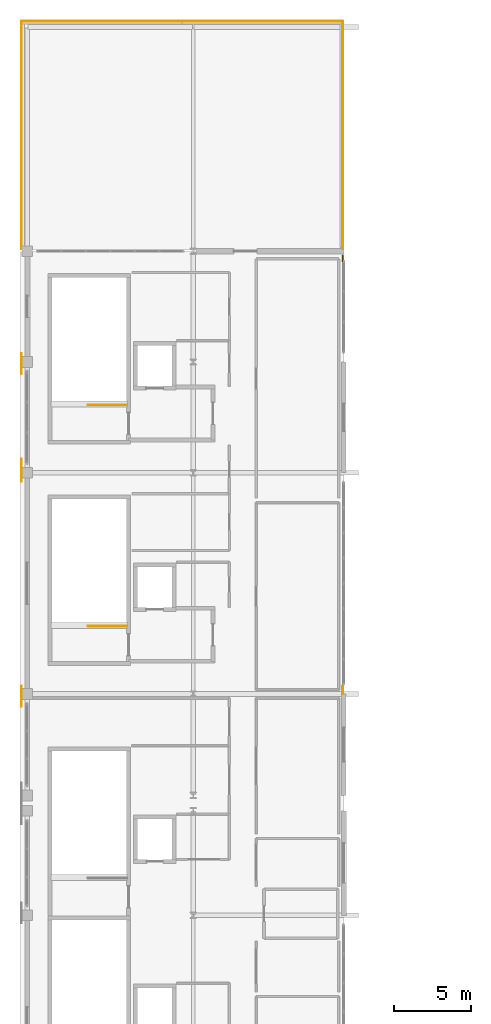
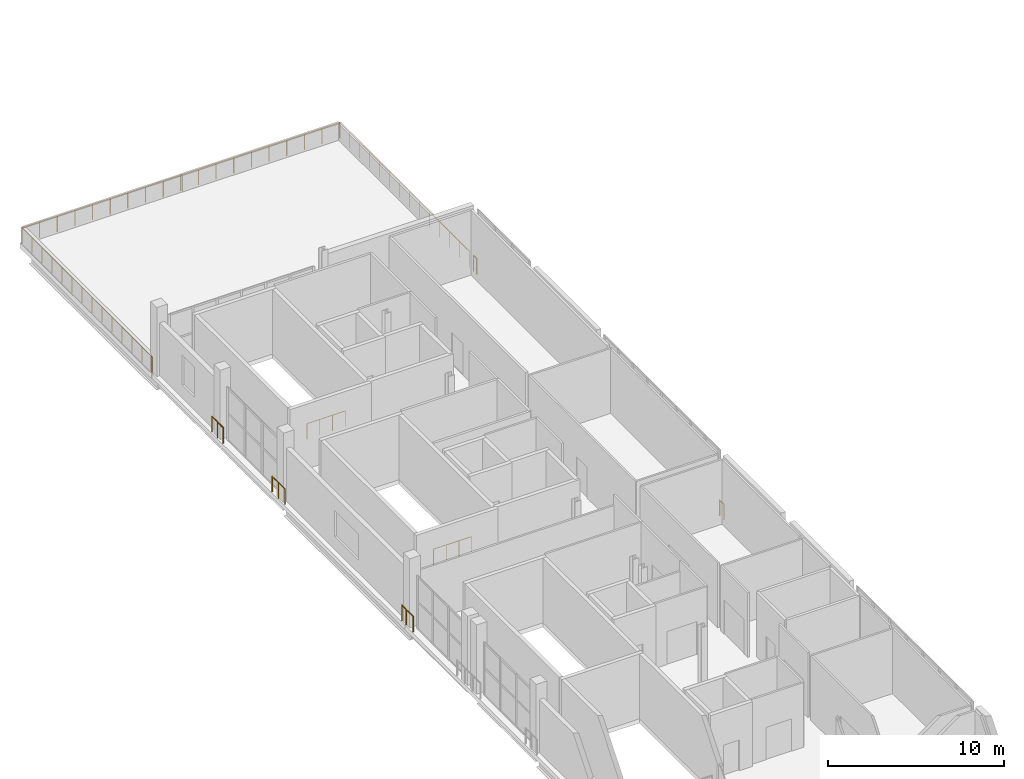
# One storey, part 18 of 19: 11 railings.
"""IFC4 building model written with IfcOpenShell, lengths in metres."""

from ifc_helpers import new_model, si_unit, direction, frame, origin, origin_2d, place, context, subcontext, project, spatial, circle, extrude, material, type_object, element, save


model = new_model("IFC4")

# Units and contexts
model_context = context("Model", 3, precision=1e-05, world=origin(), true_north=direction((0.0, 1.0)))
body_context = subcontext(model_context, "Body", "Model", "MODEL_VIEW")
ifc_project = project(units=[si_unit("LENGTHUNIT", "METRE"), si_unit("AREAUNIT", "SQUARE_METRE"), si_unit("VOLUMEUNIT", "CUBIC_METRE"), si_unit("PLANEANGLEUNIT", "RADIAN"), si_unit("MASSUNIT", "GRAM", prefix="KILO")], contexts=[model_context])

# Site, building, storey
site_placement = place(None, origin())
site = spatial("IfcSite", under=ifc_project, at=site_placement, CompositionType="ELEMENT")
building_placement = place(site_placement, origin())
building = spatial("IfcBuilding", under=site, at=building_placement, Name="Koshinbarg Plaza Stadium", CompositionType="ELEMENT")
storey_placement = place(building_placement, frame((0.0, 0.0, 29.39990234375)))
storey = spatial("IfcBuildingStorey", under=building, at=storey_placement, Name="L06", CompositionType="ELEMENT", Elevation=29.39990234375)

# Railings
ifc_material_1 = material(Name="Toughened laminated glass and stainless steel sightline balustrade", Category="steel")
railing_type_1 = type_object("IfcRailingType", Name="RL-BOWL-1100", PredefinedType="BALUSTRADE", material=ifc_material_1)
railing_1_placement = place(storey_placement, frame((24.22509765625, 82.300048828125, 0.0)))
element("IfcRailing", 1, at=railing_1_placement, inside=storey, type_object=railing_type_1, Name="L06 deck edge safety balustrade 0410", PredefinedType="BALUSTRADE", context=body_context, shape_type="SweptSolid", body=[
    extrude(circle(Radius=0.02392578125, at=origin_2d()), frame((0.0, 0.0, 1.076171875), z_axis=(0.0, 1.0, 0.0), x_axis=(-1.0, 0.0, 0.0)), (0.0, 0.0, 1.0), 0.800048828125),
    extrude(circle(Radius=0.02099609375, at=origin_2d()), origin(), (0.0, 0.0, 1.0), 1.052001953125),
    extrude(circle(Radius=0.02099609375, at=origin_2d()), frame((0.0, 0.800048828125, 0.0)), (0.0, 0.0, 1.0), 1.052001953125),
])
railing_2_placement = place(storey_placement, frame((24.22509765625, 83.10009765625, 0.0)))
element("IfcRailing", 2, at=railing_2_placement, inside=storey, type_object=railing_type_1, Name="L06 deck edge safety balustrade 0412", PredefinedType="BALUSTRADE", context=body_context, shape_type="SweptSolid", body=[
    extrude(circle(Radius=0.02392578125, at=origin_2d()), frame((0.0, 0.0, 1.076171875), z_axis=(0.0, 1.0, 0.0), x_axis=(-1.0, 0.0, 0.0)), (0.0, 0.0, 1.0), 0.498291015625),
    extrude(circle(Radius=0.02099609375, at=origin_2d()), origin(), (0.0, 0.0, 1.0), 1.052001953125),
    extrude(circle(Radius=0.02099609375, at=origin_2d()), frame((0.0, 0.498291015625, 0.0)), (0.0, 0.0, 1.0), 1.052001953125),
])
railing_3_placement = place(storey_placement, frame((24.22509765625, 96.927001953125, 0.0)))
element("IfcRailing", 3, at=railing_3_placement, inside=storey, type_object=railing_type_1, Name="L06 deck edge safety balustrade 0413", PredefinedType="BALUSTRADE", context=body_context, shape_type="SweptSolid", body=[
    extrude(circle(Radius=0.02392578125, at=origin_2d()), frame((0.0, 0.0, 1.076171875), z_axis=(0.0, 1.0, 0.0), x_axis=(-1.0, 0.0, 0.0)), (0.0, 0.0, 1.0), 1.444580078125),
    extrude(circle(Radius=0.02099609375, at=origin_2d()), origin(), (0.0, 0.0, 1.0), 1.052001953125),
    extrude(circle(Radius=0.02099609375, at=origin_2d()), frame((0.0, 0.72216796875, 0.0)), (0.0, 0.0, 1.0), 1.052001953125),
    extrude(circle(Radius=0.02099609375, at=origin_2d()), frame((0.0, 1.444580078125, 0.0)), (0.0, 0.0, 1.0), 1.052001953125),
])
railing_4_placement = place(storey_placement, frame((24.22509765625, 103.9404296875, 0.0)))
element("IfcRailing", 4, at=railing_4_placement, inside=storey, type_object=railing_type_1, Name="L06 deck edge safety balustrade 0414", PredefinedType="BALUSTRADE", context=body_context, shape_type="SweptSolid", body=[
    extrude(circle(Radius=0.02392578125, at=origin_2d()), frame((0.0, 0.0, 1.076171875), z_axis=(0.0, 1.0, 0.0), x_axis=(-1.0, 0.0, 0.0)), (0.0, 0.0, 1.0), 1.29541015625),
    extrude(circle(Radius=0.02099609375, at=origin_2d()), origin(), (0.0, 0.0, 1.0), 1.052001953125),
    extrude(circle(Radius=0.02099609375, at=origin_2d()), frame((0.0, 0.647705078125, 0.0)), (0.0, 0.0, 1.0), 1.052001953125),
    extrude(circle(Radius=0.02099609375, at=origin_2d()), frame((0.0, 1.29541015625, 0.0)), (0.0, 0.0, 1.0), 1.052001953125),
])
railing_5_placement = place(storey_placement, frame((45.1201171875, 111.6298828125, 0.0)))
element("IfcRailing", 5, at=railing_5_placement, inside=storey, type_object=railing_type_1, Name="L06 deck edge safety balustrade 0415", PredefinedType="BALUSTRADE", context=body_context, shape_type="SweptSolid", body=[
    extrude(circle(Radius=0.02392578125, at=origin_2d()), frame((0.0, 0.0, 1.076171875), z_axis=(0.0, -1.0, 0.0), x_axis=(1.0, 0.0, 0.0)), (0.0, 0.0, 1.0), 0.377685546875),
    extrude(circle(Radius=0.02099609375, at=origin_2d()), origin(), (0.0, 0.0, 1.0), 1.052001953125),
    extrude(circle(Radius=0.02099609375, at=origin_2d()), frame((0.0, -0.377685546875, 0.0)), (0.0, 0.0, 1.0), 1.052001953125),
])
railing_6_placement = place(storey_placement, frame((45.1201171875, 83.598388671875, 0.0)))
element("IfcRailing", 6, at=railing_6_placement, inside=storey, type_object=railing_type_1, Name="L06 deck edge safety balustrade 0416", PredefinedType="BALUSTRADE", context=body_context, shape_type="SweptSolid", body=[
    extrude(circle(Radius=0.02392578125, at=origin_2d()), frame((0.0, 0.0, 1.076171875), z_axis=(0.0, -1.0, 0.0), x_axis=(1.0, 0.0, 0.0)), (0.0, 0.0, 1.0), 0.498291015625),
    extrude(circle(Radius=0.02099609375, at=origin_2d()), origin(), (0.0, 0.0, 1.0), 1.052001953125),
    extrude(circle(Radius=0.02099609375, at=origin_2d()), frame((0.0, -0.498291015625, 0.0)), (0.0, 0.0, 1.0), 1.052001953125),
])
ifc_material_2 = material(Name="Galvanized painted steel guardrail", Category="steel")
railing_type_2 = type_object("IfcRailingType", Name="RL-GUARD-1100", PredefinedType="GUARDRAIL", material=ifc_material_2)
railing_7_placement = place(storey_placement, frame((45.1201171875, 112.070068359375, 0.0)))
element("IfcRailing", 7, at=railing_7_placement, inside=storey, type_object=railing_type_2, Name="L06 roof garden RG-L06-W guard 0013", PredefinedType="GUARDRAIL", context=body_context, shape_type="SweptSolid", body=[
    extrude(circle(Radius=0.02392578125, at=origin_2d()), frame((0.0, 0.0, 1.076171875), z_axis=(0.0, 1.0, 0.0), x_axis=(-1.0, 0.0, 0.0)), (0.0, 0.0, 1.0), 14.804931640625),
    extrude(circle(Radius=0.02099609375, at=origin_2d()), origin(), (0.0, 0.0, 1.0), 1.052001953125),
    extrude(circle(Radius=0.02099609375, at=origin_2d()), frame((0.0, 1.138916015625, 0.0)), (0.0, 0.0, 1.0), 1.052001953125),
    extrude(circle(Radius=0.02099609375, at=origin_2d()), frame((0.0, 2.277587890625, 0.0)), (0.0, 0.0, 1.0), 1.052001953125),
    extrude(circle(Radius=0.02099609375, at=origin_2d()), frame((0.0, 3.41650390625, 0.0)), (0.0, 0.0, 1.0), 1.052001953125),
    extrude(circle(Radius=0.02099609375, at=origin_2d()), frame((0.0, 4.555419921875, 0.0)), (0.0, 0.0, 1.0), 1.052001953125),
    extrude(circle(Radius=0.02099609375, at=origin_2d()), frame((0.0, 5.694091796875, 0.0)), (0.0, 0.0, 1.0), 1.052001953125),
    extrude(circle(Radius=0.02099609375, at=origin_2d()), frame((0.0, 6.8330078125, 0.0)), (0.0, 0.0, 1.0), 1.052001953125),
    extrude(circle(Radius=0.02099609375, at=origin_2d()), frame((0.0, 7.971923828125, 0.0)), (0.0, 0.0, 1.0), 1.052001953125),
    extrude(circle(Radius=0.02099609375, at=origin_2d()), frame((0.0, 9.11083984375, 0.0)), (0.0, 0.0, 1.0), 1.052001953125),
    extrude(circle(Radius=0.02099609375, at=origin_2d()), frame((0.0, 10.24951171875, 0.0)), (0.0, 0.0, 1.0), 1.052001953125),
    extrude(circle(Radius=0.02099609375, at=origin_2d()), frame((0.0, 11.388427734375, 0.0)), (0.0, 0.0, 1.0), 1.052001953125),
    extrude(circle(Radius=0.02099609375, at=origin_2d()), frame((0.0, 12.52734375, 0.0)), (0.0, 0.0, 1.0), 1.052001953125),
    extrude(circle(Radius=0.02099609375, at=origin_2d()), frame((0.0, 13.666015625, 0.0)), (0.0, 0.0, 1.0), 1.052001953125),
    extrude(circle(Radius=0.02099609375, at=origin_2d()), frame((0.0, 14.804931640625, 0.0)), (0.0, 0.0, 1.0), 1.052001953125),
])
railing_8_placement = place(storey_placement, frame((45.1201171875, 126.875, 0.0)))
element("IfcRailing", 8, at=railing_8_placement, inside=storey, type_object=railing_type_2, Name="L06 roof garden RG-L06-W guard 0014", PredefinedType="GUARDRAIL", context=body_context, shape_type="SweptSolid", body=[
    extrude(circle(Radius=0.02392578125, at=origin_2d()), frame((0.0, 0.0, 1.076171875), z_axis=(-1.0, 0.0, 0.0), x_axis=(0.0, -1.0, 0.0)), (0.0, 0.0, 1.0), 20.89501953125),
    extrude(circle(Radius=0.02099609375, at=origin_2d()), origin(), (0.0, 0.0, 1.0), 1.052001953125),
    extrude(circle(Radius=0.02099609375, at=origin_2d()), frame((-1.160888671875, 0.0, 0.0)), (0.0, 0.0, 1.0), 1.052001953125),
    extrude(circle(Radius=0.02099609375, at=origin_2d()), frame((-2.32177734375, 0.0, 0.0)), (0.0, 0.0, 1.0), 1.052001953125),
    extrude(circle(Radius=0.02099609375, at=origin_2d()), frame((-3.482421875, 0.0, 0.0)), (0.0, 0.0, 1.0), 1.052001953125),
    extrude(circle(Radius=0.02099609375, at=origin_2d()), frame((-4.643310546875, 0.0, 0.0)), (0.0, 0.0, 1.0), 1.052001953125),
    extrude(circle(Radius=0.02099609375, at=origin_2d()), frame((-5.80419921875, 0.0, 0.0)), (0.0, 0.0, 1.0), 1.052001953125),
    extrude(circle(Radius=0.02099609375, at=origin_2d()), frame((-6.965087890625, 0.0, 0.0)), (0.0, 0.0, 1.0), 1.052001953125),
    extrude(circle(Radius=0.02099609375, at=origin_2d()), frame((-8.125732421875, 0.0, 0.0)), (0.0, 0.0, 1.0), 1.052001953125),
    extrude(circle(Radius=0.02099609375, at=origin_2d()), frame((-9.28662109375, 0.0, 0.0)), (0.0, 0.0, 1.0), 1.052001953125),
    extrude(circle(Radius=0.02099609375, at=origin_2d()), frame((-10.447509765625, 0.0, 0.0)), (0.0, 0.0, 1.0), 1.052001953125),
    extrude(circle(Radius=0.02099609375, at=origin_2d()), frame((-11.6083984375, 0.0, 0.0)), (0.0, 0.0, 1.0), 1.052001953125),
    extrude(circle(Radius=0.02099609375, at=origin_2d()), frame((-12.769287109375, 0.0, 0.0)), (0.0, 0.0, 1.0), 1.052001953125),
    extrude(circle(Radius=0.02099609375, at=origin_2d()), frame((-13.929931640625, 0.0, 0.0)), (0.0, 0.0, 1.0), 1.052001953125),
    extrude(circle(Radius=0.02099609375, at=origin_2d()), frame((-15.0908203125, 0.0, 0.0)), (0.0, 0.0, 1.0), 1.052001953125),
    extrude(circle(Radius=0.02099609375, at=origin_2d()), frame((-16.251708984375, 0.0, 0.0)), (0.0, 0.0, 1.0), 1.052001953125),
    extrude(circle(Radius=0.02099609375, at=origin_2d()), frame((-17.41259765625, 0.0, 0.0)), (0.0, 0.0, 1.0), 1.052001953125),
    extrude(circle(Radius=0.02099609375, at=origin_2d()), frame((-18.5732421875, 0.0, 0.0)), (0.0, 0.0, 1.0), 1.052001953125),
    extrude(circle(Radius=0.02099609375, at=origin_2d()), frame((-19.734130859375, 0.0, 0.0)), (0.0, 0.0, 1.0), 1.052001953125),
    extrude(circle(Radius=0.02099609375, at=origin_2d()), frame((-20.89501953125, 0.0, 0.0)), (0.0, 0.0, 1.0), 1.052001953125),
])
railing_9_placement = place(storey_placement, frame((24.22509765625, 126.875, 0.0)))
element("IfcRailing", 9, at=railing_9_placement, inside=storey, type_object=railing_type_2, Name="L06 roof garden RG-L06-W guard 0015", PredefinedType="GUARDRAIL", context=body_context, shape_type="SweptSolid", body=[
    extrude(circle(Radius=0.02392578125, at=origin_2d()), frame((0.0, 0.0, 1.076171875), z_axis=(0.0, -1.0, 0.0), x_axis=(1.0, 0.0, 0.0)), (0.0, 0.0, 1.0), 14.804931640625),
    extrude(circle(Radius=0.02099609375, at=origin_2d()), origin(), (0.0, 0.0, 1.0), 1.052001953125),
    extrude(circle(Radius=0.02099609375, at=origin_2d()), frame((0.0, -1.138916015625, 0.0)), (0.0, 0.0, 1.0), 1.052001953125),
    extrude(circle(Radius=0.02099609375, at=origin_2d()), frame((0.0, -2.277587890625, 0.0)), (0.0, 0.0, 1.0), 1.052001953125),
    extrude(circle(Radius=0.02099609375, at=origin_2d()), frame((0.0, -3.41650390625, 0.0)), (0.0, 0.0, 1.0), 1.052001953125),
    extrude(circle(Radius=0.02099609375, at=origin_2d()), frame((0.0, -4.555419921875, 0.0)), (0.0, 0.0, 1.0), 1.052001953125),
    extrude(circle(Radius=0.02099609375, at=origin_2d()), frame((0.0, -5.694091796875, 0.0)), (0.0, 0.0, 1.0), 1.052001953125),
    extrude(circle(Radius=0.02099609375, at=origin_2d()), frame((0.0, -6.8330078125, 0.0)), (0.0, 0.0, 1.0), 1.052001953125),
    extrude(circle(Radius=0.02099609375, at=origin_2d()), frame((0.0, -7.971923828125, 0.0)), (0.0, 0.0, 1.0), 1.052001953125),
    extrude(circle(Radius=0.02099609375, at=origin_2d()), frame((0.0, -9.11083984375, 0.0)), (0.0, 0.0, 1.0), 1.052001953125),
    extrude(circle(Radius=0.02099609375, at=origin_2d()), frame((0.0, -10.24951171875, 0.0)), (0.0, 0.0, 1.0), 1.052001953125),
    extrude(circle(Radius=0.02099609375, at=origin_2d()), frame((0.0, -11.388427734375, 0.0)), (0.0, 0.0, 1.0), 1.052001953125),
    extrude(circle(Radius=0.02099609375, at=origin_2d()), frame((0.0, -12.52734375, 0.0)), (0.0, 0.0, 1.0), 1.052001953125),
    extrude(circle(Radius=0.02099609375, at=origin_2d()), frame((0.0, -13.666015625, 0.0)), (0.0, 0.0, 1.0), 1.052001953125),
    extrude(circle(Radius=0.02099609375, at=origin_2d()), frame((0.0, -14.804931640625, 0.0)), (0.0, 0.0, 1.0), 1.052001953125),
])
for number, where, name in (
    (10, (31.070068359375, 87.510009765625, 0.0), "L06 C05 top stairwell guard 1"),
    (11, (31.070068359375, 101.909912109375, 0.0), "L06 C06 top stairwell guard 1"),
):
    element("IfcRailing", number, at=place(storey_placement, frame(where)), inside=storey, type_object=railing_type_2, Name=name, PredefinedType="GUARDRAIL", context=body_context, shape_type="SweptSolid", body=[
        extrude(circle(Radius=0.02392578125, at=origin_2d()), frame((0.0, 0.0, 1.076171875), z_axis=(-1.0, 0.0, 0.0), x_axis=(0.0, -1.0, 0.0)), (0.0, 0.0, 1.0), 2.510009765625),
        extrude(circle(Radius=0.02099609375, at=origin_2d()), origin(), (0.0, 0.0, 1.0), 1.052001953125),
        extrude(circle(Radius=0.02099609375, at=origin_2d()), frame((-0.836669921875, 0.0, 0.0)), (0.0, 0.0, 1.0), 1.052001953125),
        extrude(circle(Radius=0.02099609375, at=origin_2d()), frame((-1.67333984375, 0.0, 0.0)), (0.0, 0.0, 1.0), 1.052001953125),
        extrude(circle(Radius=0.02099609375, at=origin_2d()), frame((-2.510009765625, 0.0, 0.0)), (0.0, 0.0, 1.0), 1.052001953125),
    ])

save(model, "model.ifc")
